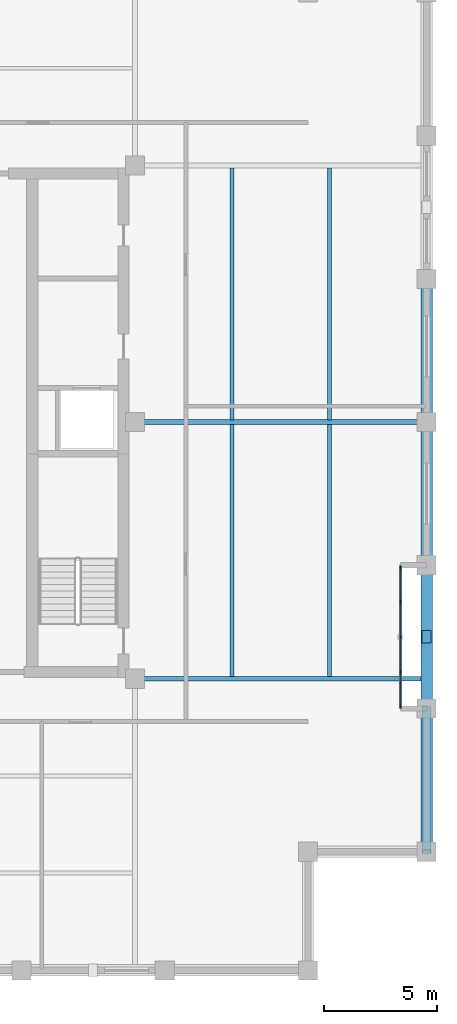
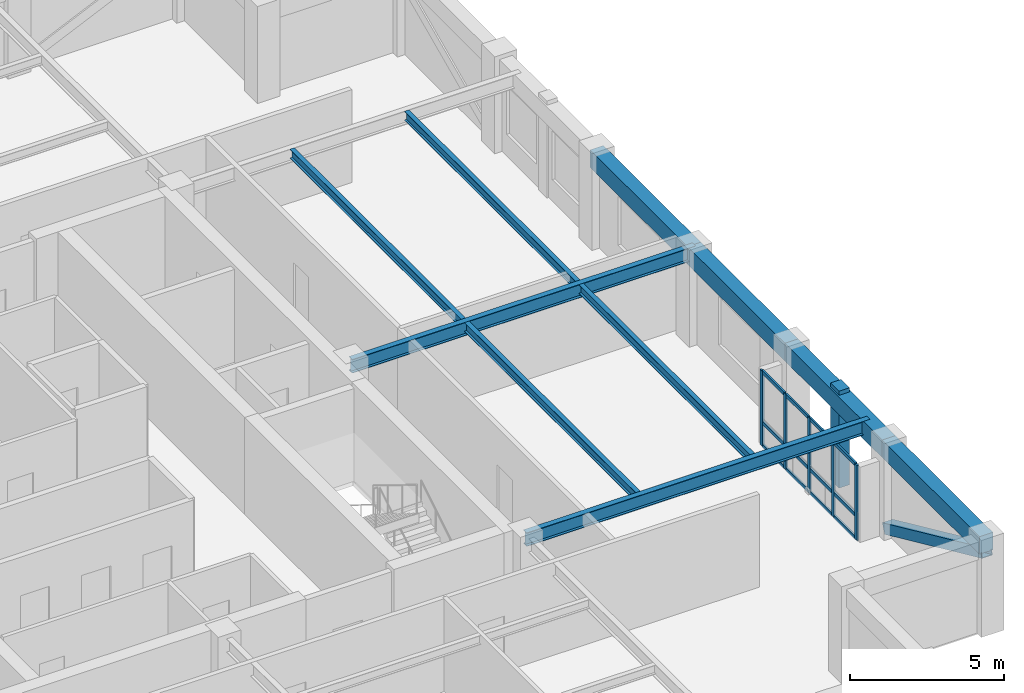
# One storey, part 2 of 8: 19 members, 10 beams, 1 element without a shape of its own.
"""IFC4 building model written with IfcOpenShell, lengths in metres."""

import ifcopenshell
import ifcopenshell.guid

model = None  # the IFC model being written
_history = None  # IfcOwnerHistory: only IFC2X3 demands one
_inside = {}  # id of a spatial element -> (the spatial element, [elements in it])
_under = {}  # id of a project, library or spatial element -> (it, [spatial elements below it])
_declared = {}  # id of a project -> (the project, [libraries it declares])
_typed = {}  # id of a type object -> (the type object, [elements of that type])
_made_of = {}  # id of a material, layer set ... -> (it, [elements and type objects made of it])


def new_model(schema):
    """Start an empty IFC model of exactly this schema.

    Asked for "IFC4X3", IfcOpenShell would pick the latest addendum, in which some entities
    have other attributes; the version numbers below select the first issue.
    IFC2X3 requires an IfcOwnerHistory on every rooted entity: one is made here for all.
    """
    global model, _history
    if schema == "IFC4X3":
        model = ifcopenshell.file(schema_version=(4, 3, 0, 0))
    else:
        model = ifcopenshell.file(schema=schema)
    _inside.clear()
    _under.clear()
    _declared.clear()
    _typed.clear()
    _made_of.clear()
    _history = None
    if model.schema == "IFC2X3":
        org = make("IfcOrganization", Name="unknown")
        user = make(
            "IfcPersonAndOrganization",
            ThePerson=make("IfcPerson", FamilyName="unknown"),
            TheOrganization=org,
        )
        app = make(
            "IfcApplication",
            ApplicationDeveloper=org,
            Version="unknown",
            ApplicationFullName="unknown",
            ApplicationIdentifier="unknown",
        )
        _history = make(
            "IfcOwnerHistory",
            OwningUser=user,
            OwningApplication=app,
            ChangeAction="ADDED",
            CreationDate=0,
        )
    return model


def make(cls, **values):
    """One entity of the class cls with the attributes given. An attribute that is None is left unset."""
    return model.create_entity(
        cls, **{name: value for name, value in values.items() if value is not None}
    )


def rooted(cls, **values):
    """An entity with a GlobalId (a new one), such as an element, a storey or a relation."""
    return make(cls, GlobalId=ifcopenshell.guid.new(), OwnerHistory=_history, **values)


def si_unit(unit_type, name, prefix=None):
    """IfcSIUnit, for example si_unit("LENGTHUNIT", "METRE", prefix="MILLI")."""
    return make("IfcSIUnit", UnitType=unit_type, Prefix=prefix, Name=name)


def assignment(units):
    """IfcUnitAssignment: the units of a project."""
    return None if units is None else make("IfcUnitAssignment", Units=units)


def point(xyz):
    """IfcCartesianPoint."""
    return None if xyz is None else make("IfcCartesianPoint", Coordinates=xyz)


def direction(xyz):
    """IfcDirection."""
    return None if xyz is None else make("IfcDirection", DirectionRatios=xyz)


def frame(location, z_axis=None, x_axis=None):
    """IfcAxis2Placement3D, a coordinate frame: its origin and axes. An axis left out is left unset."""
    return make(
        "IfcAxis2Placement3D",
        Location=point(location),
        Axis=direction(z_axis),
        RefDirection=direction(x_axis),
    )


def frame_2d(location, x_axis=None):
    """IfcAxis2Placement2D, a coordinate frame in the plane: its origin and x axis."""
    return make(
        "IfcAxis2Placement2D", Location=point(location), RefDirection=direction(x_axis)
    )


def origin():
    """The frame at (0, 0, 0) with its axes left unset."""
    return frame((0.0, 0.0, 0.0))


def origin_2d():
    """The frame at (0, 0) in the plane with its x axis left unset."""
    return frame_2d((0.0, 0.0))


def place(relative_to, where):
    """IfcLocalPlacement: puts the frame where relative to a parent placement (None: the world)."""
    return make(
        "IfcLocalPlacement", PlacementRelTo=relative_to, RelativePlacement=where
    )


def context(
    kind, dimensions, precision=None, world=None, true_north=None, identifier=None
):
    """IfcGeometricRepresentationContext, for example the 3D "Model" context."""
    return make(
        "IfcGeometricRepresentationContext",
        ContextIdentifier=identifier,
        ContextType=kind,
        CoordinateSpaceDimension=dimensions,
        Precision=precision,
        WorldCoordinateSystem=world,
        TrueNorth=true_north,
    )


def subcontext(parent, identifier, kind, view, scale=None):
    """IfcGeometricRepresentationSubContext, for example "Body" below "Model"."""
    return make(
        "IfcGeometricRepresentationSubContext",
        ContextIdentifier=identifier,
        ContextType=kind,
        ParentContext=parent,
        TargetScale=scale,
        TargetView=view,
    )


def project(units=None, contexts=None):
    """IfcProject with its units and contexts."""
    return rooted(
        "IfcProject",
        Name="project",
        RepresentationContexts=contexts,
        UnitsInContext=assignment(units),
    )


def spatial(cls, under=None, at=None, **own):
    """A site, building, storey or space (cls), placed at a placement, below another one or the project."""
    s = rooted(cls, ObjectPlacement=at, **own)
    if under is not None:
        _under.setdefault(under.id(), (under, []))[1].append(s)
    return s


def profile(cls, at=None, kind="AREA", **sizes):
    """A parametric profile (cls). Its sizes go by their IFC names, for example OverallWidth=200.0."""
    return make(cls, ProfileType=kind, Position=at, **sizes)


def rectangle(**sizes):
    """IfcRectangleProfileDef."""
    return profile("IfcRectangleProfileDef", **sizes)


def hollow_rectangle(**sizes):
    """IfcRectangleHollowProfileDef."""
    return profile("IfcRectangleHollowProfileDef", **sizes)


def i_section(**sizes):
    """IfcIShapeProfileDef."""
    return profile("IfcIShapeProfileDef", **sizes)


def extrude(swept, where, along, depth):
    """IfcExtrudedAreaSolid: the profile swept, set in the frame where, extruded along a direction by depth."""
    return make(
        "IfcExtrudedAreaSolid",
        SweptArea=swept,
        Position=where,
        ExtrudedDirection=direction(along),
        Depth=depth,
    )


def shape(context_of_items, identifier, shape_type, items):
    """IfcShapeRepresentation: the items that make up one representation, for example the "Body"."""
    return make(
        "IfcShapeRepresentation",
        ContextOfItems=context_of_items,
        RepresentationIdentifier=identifier,
        RepresentationType=shape_type,
        Items=items,
    )


def material(Name=None, Category=None):
    """IfcMaterial."""
    return make("IfcMaterial", Name=Name, Category=Category)


def layer(
    of_material, thickness, ventilated=None, Name=None, Category=None, Priority=None
):
    """IfcMaterialLayer: one layer of a wall or slab, of a material (None: an air gap)."""
    return make(
        "IfcMaterialLayer",
        Material=of_material,
        LayerThickness=thickness,
        IsVentilated=ventilated,
        Name=Name,
        Category=Category,
        Priority=Priority,
    )


def layer_set(layers, Name=None):
    """IfcMaterialLayerSet."""
    return make("IfcMaterialLayerSet", MaterialLayers=layers, LayerSetName=Name)


def material_profile(
    of_material, cross_section, Name=None, Category=None, Priority=None
):
    """IfcMaterialProfile: a cross section and its material."""
    return make(
        "IfcMaterialProfile",
        Name=Name,
        Material=of_material,
        Profile=cross_section,
        Priority=Priority,
        Category=Category,
    )


def profile_set(profiles, Name=None, composite=None):
    """IfcMaterialProfileSet."""
    return make(
        "IfcMaterialProfileSet",
        Name=Name,
        MaterialProfiles=profiles,
        CompositeProfile=composite,
    )


def made_of(thing, what):
    """Note that an element or type object is made of a material, layer set ...; save() writes the relation."""
    if what is not None:
        _made_of.setdefault(what.id(), (what, []))[1].append(thing)
    return thing


def type_object(cls, material=None, **own):
    """A type object (cls), such as IfcWallType, which elements share."""
    return made_of(rooted(cls, **own), material)


def element(
    cls,
    number,
    at=None,
    inside=None,
    cuts=None,
    type_object=None,
    material=None,
    context=None,
    identifier="Body",
    shape_type=None,
    held_by="IfcProductDefinitionShape",
    body=None,
    shapes=None,
    **own,
):
    """One element of the class cls, such as IfcWall. Its Tag is "e" and its number.

    at: its placement. inside: the storey or other place that contains it. cuts: it is an
    opening in that element (IfcRelVoidsElement). A single representation is given by context,
    identifier, shape_type and body (its items); several are given by shapes. held_by: the class
    of the entity that holds the representations. save() writes the other relations.
    """
    e = rooted(cls, Tag="e%d" % number, ObjectPlacement=at, **own)
    if body is not None:
        shapes = [shape(context, identifier, shape_type, body)]
    if shapes is not None:
        e.Representation = make(held_by, Representations=shapes)
    if inside is not None:
        _inside.setdefault(inside.id(), (inside, []))[1].append(e)
    if cuts is not None:
        rooted(
            "IfcRelVoidsElement", RelatingBuildingElement=cuts, RelatedOpeningElement=e
        )
    if type_object is not None:
        _typed.setdefault(type_object.id(), (type_object, []))[1].append(e)
    return made_of(e, material)


def aggregate(whole, parts):
    """IfcRelAggregates: a whole, such as a stair, and the parts it consists of."""
    return rooted("IfcRelAggregates", RelatingObject=whole, RelatedObjects=parts)


def save(model, path):
    """Write the relations noted so far, then the file.

    IfcRelAggregates (storeys below a building ...), IfcRelContainedInSpatialStructure (elements
    in a storey), IfcRelDefinesByType, IfcRelAssociatesMaterial and IfcRelDeclares: one each for
    every whole, place, type object, material and project.
    """
    for whole, parts in _under.values():
        aggregate(whole, parts)
    for where, things in _inside.values():
        rooted(
            "IfcRelContainedInSpatialStructure",
            RelatedElements=things,
            RelatingStructure=where,
        )
    for kind, things in _typed.values():
        rooted("IfcRelDefinesByType", RelatedObjects=things, RelatingType=kind)
    for what, things in _made_of.values():
        rooted("IfcRelAssociatesMaterial", RelatedObjects=things, RelatingMaterial=what)
    for by, libraries in _declared.values():
        rooted("IfcRelDeclares", RelatingContext=by, RelatedDefinitions=libraries)
    model.write(path)


model = new_model("IFC4")

# Units and contexts
model_context = context("Model", 3, precision=1e-05, world=origin(), true_north=direction((0.0, 1.0)))
body_context = subcontext(model_context, "Body", "Model", "MODEL_VIEW")
ifc_project = project(units=[si_unit("LENGTHUNIT", "METRE"), si_unit("AREAUNIT", "SQUARE_METRE"), si_unit("VOLUMEUNIT", "CUBIC_METRE"), si_unit("PLANEANGLEUNIT", "RADIAN"), si_unit("MASSUNIT", "GRAM", prefix="KILO")], contexts=[model_context])

# Site, building, storey
site_placement = place(None, origin())
site = spatial("IfcSite", under=ifc_project, at=site_placement, CompositionType="ELEMENT")
building_placement = place(site_placement, origin())
building = spatial("IfcBuilding", under=site, at=building_placement, Name="Nhamokura Convention Tower", CompositionType="ELEMENT")
storey_placement = place(building_placement, frame((0.0, 0.0, 240.800048828125)))
storey = spatial("IfcBuildingStorey", under=building, at=storey_placement, Name="L59", CompositionType="ELEMENT", Elevation=240.800048828125)

# Member
ifc_material_1 = material(Name="Bronze-pigmented precast concrete C45/55", Category="concrete")
ifc_material_profile_1 = material_profile(ifc_material_1, rectangle(XDim=0.39990234375, YDim=0.550048828125, at=origin_2d()))
ifc_profile_set_1 = profile_set([ifc_material_profile_1], Name="Bronze-pigmented precast concrete C45/55")
member_type_1 = type_object("IfcMemberType", Name="BronzePilaster_550", PredefinedType="USERDEFINED", material=ifc_profile_set_1)
member_1_placement = place(storey_placement, frame((56.25, 22.5, 0.0), z_axis=(0.0, 0.0, 1.0), x_axis=(1.0, 0.0, 0.0)))
element("IfcMember", 1, at=member_1_placement, inside=storey, type_object=member_type_1, Name="L59 Engaged Frame Pilaster EAST 1", ObjectType="PILASTER_TRIM", PredefinedType="USERDEFINED", context=body_context, shape_type="SweptSolid", body=[
    extrude(rectangle(XDim=0.39990234375, YDim=0.550048828125, at=origin_2d()), origin(), (0.0, 0.0, 1.0), 3.849853515625),
])

# Curtain wall, members
ifc_material_2 = material(Name="Anodised bronze aluminium AA6063-T6", Category="aluminium")
ifc_layer = layer(ifc_material_2, 0.155029296875)
ifc_layer_set = layer_set([ifc_layer], Name="CWSystem_ScaleSlot_Zone3")
curtain_wall_type = type_object("IfcCurtainWallType", Name="CWSystem_ScaleSlot_Zone3", PredefinedType="NOTDEFINED", material=ifc_layer_set)
curtain_wall_placement = place(storey_placement, origin())
curtain_wall = element("IfcCurtainWall", 2, at=curtain_wall_placement, inside=storey, type_object=curtain_wall_type, Name="L59 Curtain Wall ENV-L59-SLOT-E1", PredefinedType="NOTDEFINED")
ifc_material_3 = material(Name="Anodised bronze aluminium AA6063-T6", Category="aluminium")
ifc_material_profile_2 = material_profile(ifc_material_3, rectangle(XDim=0.06494140625, YDim=0.1650390625, at=origin_2d()))
ifc_profile_set_2 = profile_set([ifc_material_profile_2], Name="Anodised bronze aluminium AA6063-T6")
member_type_2 = type_object("IfcMemberType", Name="CWMullion_3", PredefinedType="MULLION", material=ifc_profile_set_2)
member_2_placement = place(storey_placement, frame((55.10009765625, 25.57421875, 0.0), z_axis=(0.0, 0.0, 1.0), x_axis=(1.0, 0.0, 0.0)))
member_2 = element("IfcMember", 3, at=member_2_placement, type_object=member_type_2, Name="CW-05 mullion 1", PredefinedType="MULLION", context=body_context, shape_type="SweptSolid", body=[
    extrude(rectangle(XDim=0.06494140625, YDim=0.1650390625, at=origin_2d()), origin(), (0.0, 0.0, 1.0), 2.98486328125),
])
member_3_placement = place(storey_placement, frame((55.10009765625, 24.053466796875, 0.0), z_axis=(0.0, 0.0, 1.0), x_axis=(1.0, 0.0, 0.0)))
member_3 = element("IfcMember", 4, at=member_3_placement, type_object=member_type_2, Name="CW-05 mullion 2", PredefinedType="MULLION", context=body_context, shape_type="SweptSolid", body=[
    extrude(rectangle(XDim=0.06494140625, YDim=0.1650390625, at=origin_2d()), origin(), (0.0, 0.0, 1.0), 2.98486328125),
])
member_4_placement = place(storey_placement, frame((55.10009765625, 22.5, 0.0), z_axis=(0.0, 0.0, 1.0), x_axis=(1.0, 0.0, 0.0)))
member_4 = element("IfcMember", 5, at=member_4_placement, type_object=member_type_2, Name="CW-05 mullion 3", PredefinedType="MULLION", context=body_context, shape_type="SweptSolid", body=[
    extrude(rectangle(XDim=0.06494140625, YDim=0.1650390625, at=origin_2d()), origin(), (0.0, 0.0, 1.0), 2.98486328125),
])
member_5_placement = place(storey_placement, frame((55.10009765625, 20.946533203125, 0.0), z_axis=(0.0, 0.0, 1.0), x_axis=(1.0, 0.0, 0.0)))
member_5 = element("IfcMember", 6, at=member_5_placement, type_object=member_type_2, Name="CW-05 mullion 4", PredefinedType="MULLION", context=body_context, shape_type="SweptSolid", body=[
    extrude(rectangle(XDim=0.06494140625, YDim=0.1650390625, at=origin_2d()), origin(), (0.0, 0.0, 1.0), 2.98486328125),
])
member_6_placement = place(storey_placement, frame((55.10009765625, 19.42578125, 0.0), z_axis=(0.0, 0.0, 1.0), x_axis=(1.0, 0.0, 0.0)))
member_6 = element("IfcMember", 7, at=member_6_placement, type_object=member_type_2, Name="CW-05 mullion 5", PredefinedType="MULLION", context=body_context, shape_type="SweptSolid", body=[
    extrude(rectangle(XDim=0.06494140625, YDim=0.1650390625, at=origin_2d()), origin(), (0.0, 0.0, 1.0), 2.98486328125),
])
ifc_material_4 = material(Name="Anodised bronze aluminium AA6063-T6", Category="aluminium")
ifc_material_profile_3 = material_profile(ifc_material_4, rectangle(XDim=0.06494140625, YDim=0.139892578125, at=origin_2d()))
ifc_profile_set_3 = profile_set([ifc_material_profile_3], Name="Anodised bronze aluminium AA6063-T6")
member_type_3 = type_object("IfcMemberType", Name="CWTransom_3", PredefinedType="USERDEFINED", material=ifc_profile_set_3)
member_7_placement = place(storey_placement, frame((55.10009765625, 25.541748046875, 0.032470703125), z_axis=(0.0, -1.0, 0.0), x_axis=(1.0, 0.0, 0.0)))
member_7 = element("IfcMember", 8, at=member_7_placement, type_object=member_type_3, Name="CW-05 transom 1.1", ObjectType="TRANSOM", PredefinedType="USERDEFINED", context=body_context, shape_type="SweptSolid", body=[
    extrude(rectangle(XDim=0.06494140625, YDim=0.139892578125, at=origin_2d()), origin(), (0.0, 0.0, 1.0), 1.455810546875),
])
member_8_placement = place(storey_placement, frame((55.10009765625, 25.541748046875, 0.949951171875), z_axis=(0.0, -1.0, 0.0), x_axis=(1.0, 0.0, 0.0)))
member_8 = element("IfcMember", 9, at=member_8_placement, type_object=member_type_3, Name="CW-05 transom 1.2", ObjectType="TRANSOM", PredefinedType="USERDEFINED", context=body_context, shape_type="SweptSolid", body=[
    extrude(rectangle(XDim=0.06494140625, YDim=0.139892578125, at=origin_2d()), origin(), (0.0, 0.0, 1.0), 1.455810546875),
])
member_9_placement = place(storey_placement, frame((55.10009765625, 25.541748046875, 2.952392578125), z_axis=(0.0, -1.0, 0.0), x_axis=(1.0, 0.0, 0.0)))
member_9 = element("IfcMember", 10, at=member_9_placement, type_object=member_type_3, Name="CW-05 transom 1.3", ObjectType="TRANSOM", PredefinedType="USERDEFINED", context=body_context, shape_type="SweptSolid", body=[
    extrude(rectangle(XDim=0.06494140625, YDim=0.139892578125, at=origin_2d()), origin(), (0.0, 0.0, 1.0), 1.455810546875),
])
member_10_placement = place(storey_placement, frame((55.10009765625, 24.020751953125, 0.032470703125), z_axis=(0.0, -1.0, 0.0), x_axis=(1.0, 0.0, 0.0)))
member_10 = element("IfcMember", 11, at=member_10_placement, type_object=member_type_3, Name="CW-05 transom 2.1", ObjectType="TRANSOM", PredefinedType="USERDEFINED", context=body_context, shape_type="SweptSolid", body=[
    extrude(rectangle(XDim=0.06494140625, YDim=0.139892578125, at=origin_2d()), origin(), (0.0, 0.0, 1.0), 1.48828125),
])
member_11_placement = place(storey_placement, frame((55.10009765625, 24.020751953125, 0.949951171875), z_axis=(0.0, -1.0, 0.0), x_axis=(1.0, 0.0, 0.0)))
member_11 = element("IfcMember", 12, at=member_11_placement, type_object=member_type_3, Name="CW-05 transom 2.2", ObjectType="TRANSOM", PredefinedType="USERDEFINED", context=body_context, shape_type="SweptSolid", body=[
    extrude(rectangle(XDim=0.06494140625, YDim=0.139892578125, at=origin_2d()), origin(), (0.0, 0.0, 1.0), 1.48828125),
])
member_12_placement = place(storey_placement, frame((55.10009765625, 24.020751953125, 2.952392578125), z_axis=(0.0, -1.0, 0.0), x_axis=(1.0, 0.0, 0.0)))
member_12 = element("IfcMember", 13, at=member_12_placement, type_object=member_type_3, Name="CW-05 transom 2.3", ObjectType="TRANSOM", PredefinedType="USERDEFINED", context=body_context, shape_type="SweptSolid", body=[
    extrude(rectangle(XDim=0.06494140625, YDim=0.139892578125, at=origin_2d()), origin(), (0.0, 0.0, 1.0), 1.48828125),
])
member_13_placement = place(storey_placement, frame((55.10009765625, 22.467529296875, 0.032470703125), z_axis=(0.0, -1.0, 0.0), x_axis=(1.0, 0.0, 0.0)))
member_13 = element("IfcMember", 14, at=member_13_placement, type_object=member_type_3, Name="CW-05 transom 3.1", ObjectType="TRANSOM", PredefinedType="USERDEFINED", context=body_context, shape_type="SweptSolid", body=[
    extrude(rectangle(XDim=0.06494140625, YDim=0.139892578125, at=origin_2d()), origin(), (0.0, 0.0, 1.0), 1.48828125),
])
member_14_placement = place(storey_placement, frame((55.10009765625, 22.467529296875, 0.949951171875), z_axis=(0.0, -1.0, 0.0), x_axis=(1.0, 0.0, 0.0)))
member_14 = element("IfcMember", 15, at=member_14_placement, type_object=member_type_3, Name="CW-05 transom 3.2", ObjectType="TRANSOM", PredefinedType="USERDEFINED", context=body_context, shape_type="SweptSolid", body=[
    extrude(rectangle(XDim=0.06494140625, YDim=0.139892578125, at=origin_2d()), origin(), (0.0, 0.0, 1.0), 1.48828125),
])
member_15_placement = place(storey_placement, frame((55.10009765625, 22.467529296875, 2.952392578125), z_axis=(0.0, -1.0, 0.0), x_axis=(1.0, 0.0, 0.0)))
member_15 = element("IfcMember", 16, at=member_15_placement, type_object=member_type_3, Name="CW-05 transom 3.3", ObjectType="TRANSOM", PredefinedType="USERDEFINED", context=body_context, shape_type="SweptSolid", body=[
    extrude(rectangle(XDim=0.06494140625, YDim=0.139892578125, at=origin_2d()), origin(), (0.0, 0.0, 1.0), 1.48828125),
])
member_16_placement = place(storey_placement, frame((55.10009765625, 20.9140625, 0.032470703125), z_axis=(0.0, -1.0, 0.0), x_axis=(1.0, 0.0, 0.0)))
member_16 = element("IfcMember", 17, at=member_16_placement, type_object=member_type_3, Name="CW-05 transom 4.1", ObjectType="TRANSOM", PredefinedType="USERDEFINED", context=body_context, shape_type="SweptSolid", body=[
    extrude(rectangle(XDim=0.06494140625, YDim=0.139892578125, at=origin_2d()), origin(), (0.0, 0.0, 1.0), 1.455810546875),
])
member_17_placement = place(storey_placement, frame((55.10009765625, 20.9140625, 0.949951171875), z_axis=(0.0, -1.0, 0.0), x_axis=(1.0, 0.0, 0.0)))
member_17 = element("IfcMember", 18, at=member_17_placement, type_object=member_type_3, Name="CW-05 transom 4.2", ObjectType="TRANSOM", PredefinedType="USERDEFINED", context=body_context, shape_type="SweptSolid", body=[
    extrude(rectangle(XDim=0.06494140625, YDim=0.139892578125, at=origin_2d()), origin(), (0.0, 0.0, 1.0), 1.455810546875),
])
member_18_placement = place(storey_placement, frame((55.10009765625, 20.9140625, 2.952392578125), z_axis=(0.0, -1.0, 0.0), x_axis=(1.0, 0.0, 0.0)))
member_18 = element("IfcMember", 19, at=member_18_placement, type_object=member_type_3, Name="CW-05 transom 4.3", ObjectType="TRANSOM", PredefinedType="USERDEFINED", context=body_context, shape_type="SweptSolid", body=[
    extrude(rectangle(XDim=0.06494140625, YDim=0.139892578125, at=origin_2d()), origin(), (0.0, 0.0, 1.0), 1.455810546875),
])
aggregate(curtain_wall, [member_2, member_3, member_4, member_5, member_6, member_7, member_8, member_9, member_10, member_11, member_12, member_13, member_14, member_15, member_16, member_17, member_18])

# Beams
ifc_material_5 = material(Name="Steel ASTM A992 Gr 50", Category="steel")
ifc_material_profile_4 = material_profile(ifc_material_5, i_section(OverallWidth=0.172119140625, OverallDepth=0.35791015625, WebThickness=0.0078125, FlangeThickness=0.01318359375, at=origin_2d()))
ifc_profile_set_4 = profile_set([ifc_material_profile_4], Name="Steel ASTM A992 Gr 50")
beam_type_1 = type_object("IfcBeamType", Name="FloorJoist_W360X57", PredefinedType="JOIST", material=ifc_profile_set_4)
for number, where, z_axis, x_axis, name in (
    (20, (47.64990234375, 20.75341796875, 3.505859375), (0.0, 1.0, 0.0), (-1.0, 0.0, 0.0), "L59 Composite Floor Joist E1A"),
    (21, (47.64990234375, 32.103515625, 3.505859375), (0.0, 1.0, 0.0), (-1.0, 0.0, 0.0), "L59 Composite Floor Joist E1B"),
    (22, (51.949951171875, 20.75341796875, 3.505859375), (0.0, 1.0, 0.0), (-1.0, 0.0, 0.0), "L59 Composite Floor Joist E2A"),
    (23, (51.949951171875, 32.103515625, 3.505859375), (0.0, 1.0, 0.0), (-1.0, 0.0, 0.0), "L59 Composite Floor Joist E2B"),
):
    element("IfcBeam", number, at=place(storey_placement, frame(where, z_axis=z_axis, x_axis=x_axis)), inside=storey, type_object=beam_type_1, Name=name, PredefinedType="JOIST", context=body_context, shape_type="SweptSolid", body=[
        extrude(i_section(OverallWidth=0.172119140625, OverallDepth=0.35791015625, WebThickness=0.0078125, FlangeThickness=0.01318359375, at=origin_2d()), origin(), (0.0, 0.0, 1.0), 11.14306640625),
    ])
ifc_material_6 = material(Name="Steel ASTM A992 Gr 50", Category="steel")
ifc_material_profile_5 = material_profile(ifc_material_6, i_section(OverallWidth=0.2109375, OverallDepth=0.5390625, WebThickness=0.01171875, FlangeThickness=0.018798828125, at=origin_2d()))
ifc_profile_set_5 = profile_set([ifc_material_profile_5], Name="Steel ASTM A992 Gr 50")
beam_type_2 = type_object("IfcBeamType", Name="PrimaryGirder_W530X109", PredefinedType="BEAM", material=ifc_profile_set_5)
for number, where, z_axis, x_axis, name in (
    (24, (43.35009765625, 20.64990234375, 3.41552734375), (1.0, 0.0, 0.0), (0.0, 1.0, 0.0), "L59 Primary Floor Girder PG-E1"),
    (25, (43.35009765625, 32.0, 3.41552734375), (1.0, 0.0, 0.0), (0.0, 1.0, 0.0), "L59 Primary Floor Girder PG-E2"),
):
    element("IfcBeam", number, at=place(storey_placement, frame(where, z_axis=z_axis, x_axis=x_axis)), inside=storey, type_object=beam_type_2, Name=name, PredefinedType="BEAM", context=body_context, shape_type="SweptSolid", body=[
        extrude(i_section(OverallWidth=0.2109375, OverallDepth=0.5390625, WebThickness=0.01171875, FlangeThickness=0.018798828125, at=origin_2d()), origin(), (0.0, 0.0, 1.0), 12.89990234375),
    ])

# Member
ifc_material_7 = material(Name="Steel ASTM A572 Gr 50", Category="steel")
ifc_material_profile_6 = material_profile(ifc_material_7, hollow_rectangle(XDim=0.39990234375, YDim=0.39990234375, WallThickness=0.02001953125, at=origin_2d()))
ifc_profile_set_6 = profile_set([ifc_material_profile_6], Name="Steel ASTM A572 Gr 50")
member_type_4 = type_object("IfcMemberType", Name="TubeBrace_HSS400", PredefinedType="BRACE", material=ifc_profile_set_6)
member_19_placement = place(storey_placement, frame((56.25, 19.333251953125, 0.14990234375), z_axis=(0.0, -0.910027379678, 0.41454814948), x_axis=(1.0, 0.0, 0.0)))
element("IfcMember", 26, at=member_19_placement, inside=storey, type_object=member_type_4, Name="L59 Perimeter Tube Brace EAST Bay 0", PredefinedType="BRACE", context=body_context, shape_type="SweptSolid", body=[
    extrude(hollow_rectangle(XDim=0.39990234375, YDim=0.39990234375, WallThickness=0.02001953125, at=origin_2d()), origin(), (0.0, 0.0, 1.0), 6.95947265625),
])

# Beams
ifc_material_8 = material(Name="Concrete C50/60", Category="concrete")
ifc_material_profile_7 = material_profile(ifc_material_8, rectangle(XDim=0.5, YDim=0.699951171875, at=origin_2d()))
ifc_profile_set_7 = profile_set([ifc_material_profile_7], Name="Concrete C50/60")
beam_type_3 = type_object("IfcBeamType", Name="TubeSpandrel_700", PredefinedType="SPANDREL", material=ifc_profile_set_7)
beam_1_placement = place(storey_placement, frame((56.25, 13.0, 3.3349609375), z_axis=(0.0, 1.0, 0.0), x_axis=(-1.0, 0.0, 0.0)))
element("IfcBeam", 27, at=beam_1_placement, inside=storey, type_object=beam_type_3, Name="L59 Perimeter Spandrel EAST 1", PredefinedType="SPANDREL", context=body_context, shape_type="SweptSolid", body=[
    extrude(rectangle(XDim=0.5, YDim=0.699951171875, at=origin_2d()), origin(), (0.0, 0.0, 1.0), 6.333251953125),
])
beam_2_placement = place(storey_placement, frame((56.25, 19.333251953125, 3.3349609375), z_axis=(0.0, 1.0, 0.0), x_axis=(-1.0, 0.0, 0.0)))
element("IfcBeam", 28, at=beam_2_placement, inside=storey, type_object=beam_type_3, Name="L59 Perimeter Spandrel EAST 2", PredefinedType="SPANDREL", context=body_context, shape_type="SweptSolid", body=[
    extrude(rectangle(XDim=0.5, YDim=0.699951171875, at=origin_2d()), origin(), (0.0, 0.0, 1.0), 6.33349609375),
])
for number, where, z_axis, x_axis, name in (
    (29, (56.25, 25.666748046875, 3.3349609375), (0.0, 1.0, 0.0), (-1.0, 0.0, 0.0), "L59 Perimeter Spandrel EAST 3"),
    (30, (56.25, 32.0, 3.3349609375), (0.0, 1.0, 0.0), (-1.0, 0.0, 0.0), "L59 Perimeter Spandrel EAST 4"),
):
    element("IfcBeam", number, at=place(storey_placement, frame(where, z_axis=z_axis, x_axis=x_axis)), inside=storey, type_object=beam_type_3, Name=name, PredefinedType="SPANDREL", context=body_context, shape_type="SweptSolid", body=[
        extrude(rectangle(XDim=0.5, YDim=0.699951171875, at=origin_2d()), origin(), (0.0, 0.0, 1.0), 6.333251953125),
    ])

save(model, "model.ifc")
